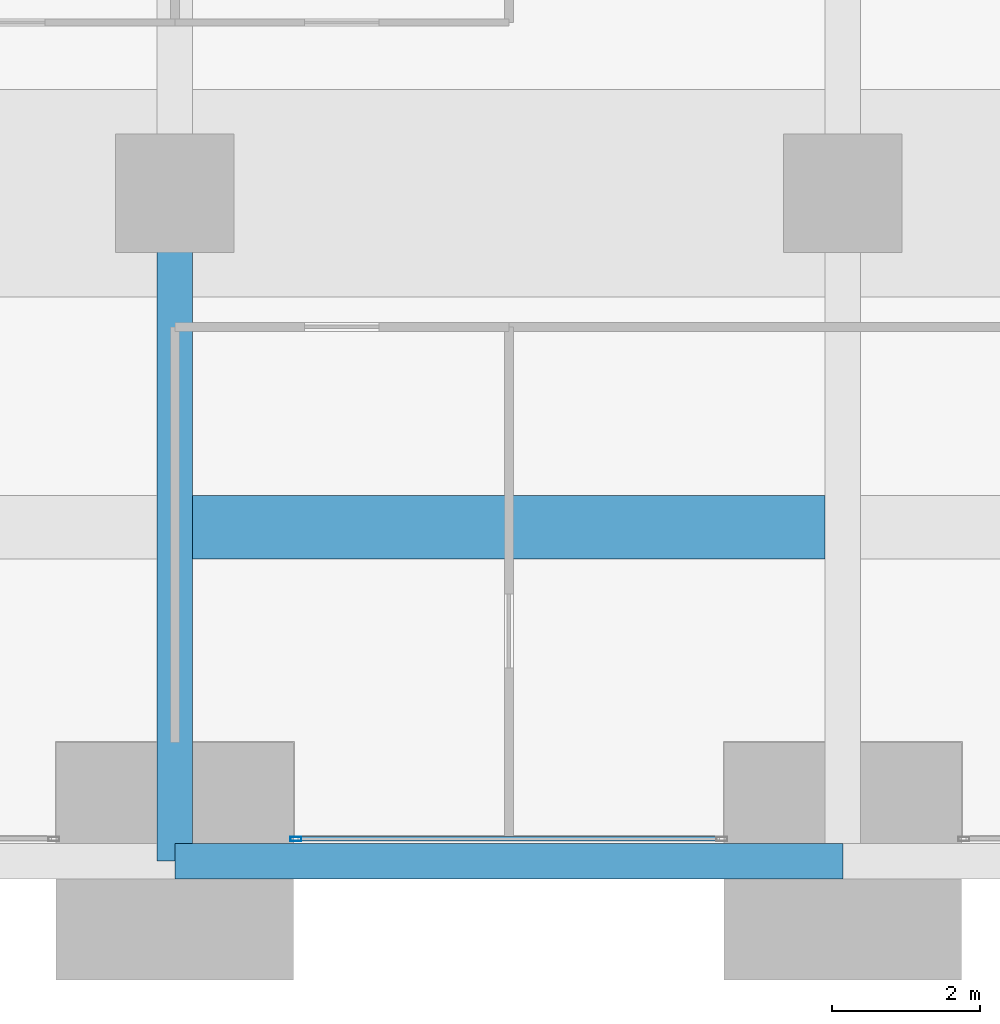
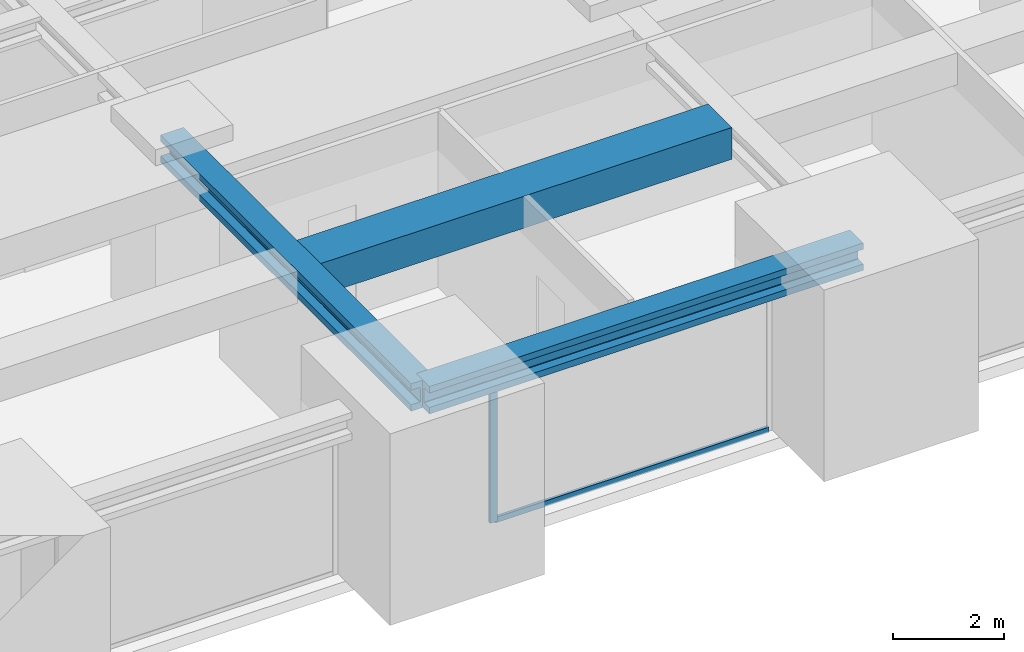
# One storey, part 8 of 39: 3 beams, 2 members, 1 element without a shape of its own.
"""IFC4 building model written with IfcOpenShell, lengths in metres."""

from ifc_helpers import new_model, si_unit, direction, frame, origin, origin_2d, place, context, subcontext, project, spatial, rectangle, hollow_rectangle, i_section, extrude, material, material_profile, profile_set, type_object, element, aggregate, save


model = new_model("IFC4")

# Units and contexts
model_context = context("Model", 3, precision=1e-05, world=origin(), true_north=direction((0.0, 1.0)))
body_context = subcontext(model_context, "Body", "Model", "MODEL_VIEW")
ifc_project = project(units=[si_unit("LENGTHUNIT", "METRE"), si_unit("AREAUNIT", "SQUARE_METRE"), si_unit("VOLUMEUNIT", "CUBIC_METRE"), si_unit("PLANEANGLEUNIT", "RADIAN"), si_unit("MASSUNIT", "GRAM", prefix="KILO")], contexts=[model_context])

# Site, building, storey
site_placement = place(None, origin())
site = spatial("IfcSite", under=ifc_project, at=site_placement, CompositionType="ELEMENT")
building_placement = place(site_placement, origin())
building = spatial("IfcBuilding", under=site, at=building_placement, Name="Zorevar Civic Tower", CompositionType="ELEMENT")
storey_placement = place(building_placement, frame((0.0, 0.0, 230.199951171875)))
storey = spatial("IfcBuildingStorey", under=building, at=storey_placement, Name="L56", CompositionType="ELEMENT", Elevation=230.199951171875)

# Beams
ifc_material_1 = material(Name="Concrete C50/60", Category="concrete")
ifc_material_profile_1 = material_profile(ifc_material_1, rectangle(XDim=0.85009765625, YDim=0.699951171875, at=origin_2d()), Name="RC 850x700")
ifc_profile_set_1 = profile_set([ifc_material_profile_1], Name="Concrete C50/60")
beam_type_1 = type_object("IfcBeamType", Name="Beam RC 850x700", PredefinedType="BEAM", material=ifc_profile_set_1)
beam_1_placement = place(storey_placement, frame((27.238037109375, 4.5, 3.5), z_axis=(1.0, 0.0, 0.0), x_axis=(0.0, 1.0, 0.0)))
element("IfcBeam", 1, at=beam_1_placement, inside=storey, type_object=beam_type_1, Name="Secondary beam L57", PredefinedType="BEAM", context=body_context, shape_type="SweptSolid", body=[
    extrude(rectangle(XDim=0.85009765625, YDim=0.699951171875, at=origin_2d()), origin(), (0.0, 0.0, 1.0), 8.52392578125),
])
ifc_material_2 = material(Name="Steel S460M (HISTAR 460)", Category="steel")
ifc_material_profile_2 = material_profile(ifc_material_2, i_section(OverallWidth=0.47607421875, OverallDepth=0.60009765625, WebThickness=0.10009765625, FlangeThickness=0.139892578125, FilletRadius=0.014892578125, at=origin_2d()), Name="HD 400x1299")
ifc_profile_set_2 = profile_set([ifc_material_profile_2], Name="Steel S460M (HISTAR 460)")
beam_type_2 = type_object("IfcBeamType", Name="Belt chord HD 400x1299", PredefinedType="BEAM", material=ifc_profile_set_2)
beam_2_placement = place(storey_placement, frame((27.0, 0.0, 3.550048828125), z_axis=(1.0, 0.0, 0.0), x_axis=(0.0, 1.0, 0.0)))
element("IfcBeam", 2, at=beam_2_placement, inside=storey, type_object=beam_type_2, Name="Belt chord L57", PredefinedType="BEAM", context=body_context, shape_type="SweptSolid", body=[
    extrude(i_section(OverallWidth=0.47607421875, OverallDepth=0.60009765625, WebThickness=0.10009765625, FlangeThickness=0.139892578125, FilletRadius=0.014892578125, at=origin_2d()), origin(), (0.0, 0.0, 1.0), 9.0),
])

# Curtain wall, members
ifc_material_3 = material(Name="Dark grey solar-control glass in black aluminium frame", Category="aluminium")
curtain_wall_type = type_object("IfcCurtainWallType", Name="Curtain wall CW4 high zone", PredefinedType="NOTDEFINED", material=ifc_material_3)
curtain_wall_placement = place(storey_placement, origin())
curtain_wall = element("IfcCurtainWall", 3, at=curtain_wall_placement, inside=storey, type_object=curtain_wall_type, Name="CW4 L56", PredefinedType="NOTDEFINED")
ifc_material_4 = material(Name="Aluminium, black anodised", Category="aluminium")
ifc_material_profile_3 = material_profile(ifc_material_4, hollow_rectangle(XDim=0.06005859375, YDim=0.14990234375, WallThickness=0.00390625, at=origin_2d()), Name="AL 150x60x4")
ifc_profile_set_3 = profile_set([ifc_material_profile_3], Name="Aluminium, black anodised")
member_type_1 = type_object("IfcMemberType", Name="CW4 mullion AL 150x60x4", PredefinedType="MULLION", material=ifc_profile_set_3)
member_1_placement = place(storey_placement, frame((28.6298828125, 0.300048828125, 0.0), z_axis=(0.0, 0.0, 1.0), x_axis=(0.0, 1.0, 0.0)))
member_1 = element("IfcMember", 4, at=member_1_placement, type_object=member_type_1, Name="CW4 mullion 1", PredefinedType="MULLION", context=body_context, shape_type="SweptSolid", body=[
    extrude(hollow_rectangle(XDim=0.06005859375, YDim=0.14990234375, WallThickness=0.00390625, at=origin_2d()), origin(), (0.0, 0.0, 1.0), 3.050048828125),
])
ifc_material_5 = material(Name="Aluminium, black anodised", Category="aluminium")
ifc_material_profile_4 = material_profile(ifc_material_5, hollow_rectangle(XDim=0.06005859375, YDim=0.1201171875, WallThickness=0.0029296875, at=origin_2d()), Name="AL 120x60x3")
ifc_profile_set_4 = profile_set([ifc_material_profile_4], Name="Aluminium, black anodised")
member_type_2 = type_object("IfcMemberType", Name="CW4 transom AL 120x60x3", PredefinedType="USERDEFINED", material=ifc_profile_set_4)
member_2_placement = place(storey_placement, frame((28.659912109375, 0.300048828125, 0.030029296875), z_axis=(1.0, 0.0, 0.0), x_axis=(0.0, 1.0, 0.0)))
member_2 = element("IfcMember", 5, at=member_2_placement, type_object=member_type_2, Name="CW4 sill transom", ObjectType="TRANSOM", PredefinedType="USERDEFINED", context=body_context, shape_type="SweptSolid", body=[
    extrude(hollow_rectangle(XDim=0.06005859375, YDim=0.1201171875, WallThickness=0.0029296875, at=origin_2d()), origin(), (0.0, 0.0, 1.0), 5.68017578125),
])
aggregate(curtain_wall, [member_1, member_2])

# Beam
ifc_material_6 = material(Name="Steel S460M (HISTAR 460)", Category="steel")
ifc_material_profile_5 = material_profile(ifc_material_6, i_section(OverallWidth=0.47607421875, OverallDepth=0.60009765625, WebThickness=0.10009765625, FlangeThickness=0.139892578125, FilletRadius=0.014892578125, at=origin_2d()), Name="HD 400x1299")
ifc_profile_set_5 = profile_set([ifc_material_profile_5], Name="Steel S460M (HISTAR 460)")
beam_type_3 = type_object("IfcBeamType", Name="Outrigger chord HD 400x1299", PredefinedType="BEAM", material=ifc_profile_set_5)
beam_3_placement = place(storey_placement, frame((27.0, 0.0, 3.550048828125), z_axis=(0.0, 1.0, 0.0), x_axis=(-1.0, 0.0, 0.0)))
element("IfcBeam", 6, at=beam_3_placement, inside=storey, type_object=beam_type_3, Name="Outrigger chord L57", PredefinedType="BEAM", context=body_context, shape_type="SweptSolid", body=[
    extrude(i_section(OverallWidth=0.47607421875, OverallDepth=0.60009765625, WebThickness=0.10009765625, FlangeThickness=0.139892578125, FilletRadius=0.014892578125, at=origin_2d()), origin(), (0.0, 0.0, 1.0), 9.0),
])

save(model, "model.ifc")
